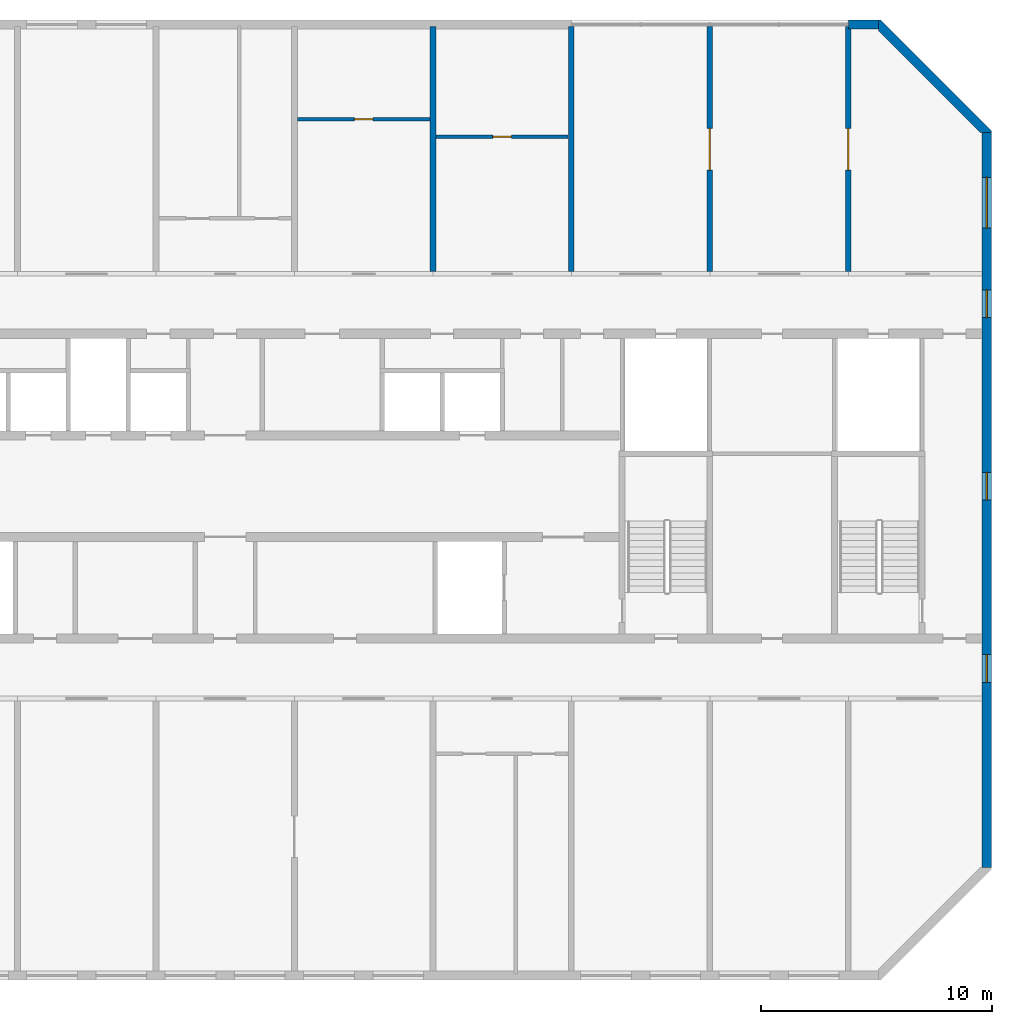
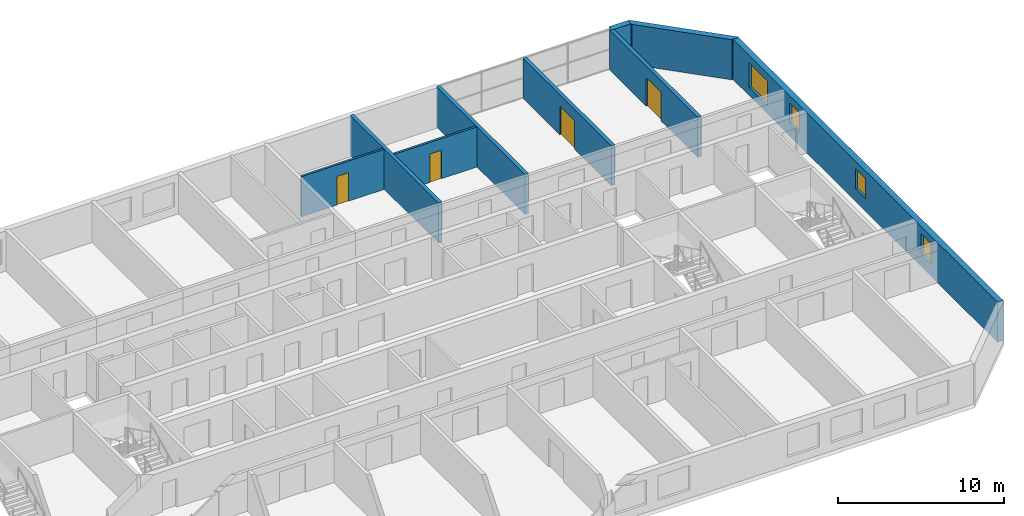
# One storey, part 10 of 13: 9 walls, 4 doors, 4 windows, 8 openings.
"""IFC4 building model written with IfcOpenShell, lengths in metres."""

from ifc_helpers import new_model, si_unit, direction, frame, frame_2d, origin, place, context, subcontext, project, spatial, polyline, rectangle, outline, extrude, material, layer, layer_set, type_object, element, fill, save


model = new_model("IFC4")

# Units and contexts
model_context = context("Model", 3, precision=1e-05, world=origin(), true_north=direction((0.0, 1.0)))
body_context = subcontext(model_context, "Body", "Model", "MODEL_VIEW")
ifc_project = project(units=[si_unit("LENGTHUNIT", "METRE"), si_unit("AREAUNIT", "SQUARE_METRE"), si_unit("VOLUMEUNIT", "CUBIC_METRE"), si_unit("PLANEANGLEUNIT", "RADIAN"), si_unit("MASSUNIT", "GRAM", prefix="KILO")], contexts=[model_context])

# Site, building, storey
site_placement = place(None, origin())
site = spatial("IfcSite", under=ifc_project, at=site_placement, CompositionType="ELEMENT")
building_placement = place(site_placement, origin())
building = spatial("IfcBuilding", under=site, at=building_placement, Name="Poui Terraces", CompositionType="ELEMENT")
storey_placement = place(building_placement, frame((0.0, 0.0, 211.5)))
storey = spatial("IfcBuildingStorey", under=building, at=storey_placement, Name="L59", CompositionType="ELEMENT", Elevation=211.5)

# Walls
ifc_material_1 = material(Name="Concrete 50 MPa", Category="concrete")
ifc_layer_1 = layer(ifc_material_1, 0.25)
ifc_layer_set_1 = layer_set([ifc_layer_1], Name="Concrete 50 MPa")
wall_type_1 = type_object("IfcWallType", Name="CROSS WALL 250 50MPa", PredefinedType="SHEAR", material=ifc_layer_set_1)
for number, where, z_axis, x_axis, name in (
    (1, (60.0, 30.5, 0.0), (0.0, 0.0, 1.0), (0.0, 1.0, 0.0), "CROSS WALL LINE 11 NORTH"),
    (2, (66.0, 30.5, 0.0), (0.0, 0.0, 1.0), (0.0, 1.0, 0.0), "CROSS WALL LINE 12 NORTH"),
):
    element("IfcWall", number, at=place(storey_placement, frame(where, z_axis=z_axis, x_axis=x_axis)), inside=storey, type_object=wall_type_1, Name=name, PredefinedType="SHEAR", context=body_context, shape_type="SweptSolid", body=[
        extrude(rectangle(XDim=10.625, YDim=0.25, at=frame_2d((5.3125, 0.0))), origin(), (0.0, 0.0, 1.0), 2.949951171875),
    ])

# Wall, opening, door
wall_1_placement = place(storey_placement, frame((72.0, 30.5, 0.0), z_axis=(0.0, 0.0, 1.0), x_axis=(0.0, 1.0, 0.0)))
wall_1 = element("IfcWall", 3, at=wall_1_placement, inside=storey, type_object=wall_type_1, Name="CROSS WALL LINE 13 NORTH", PredefinedType="SHEAR", context=body_context, shape_type="SweptSolid", body=[
    extrude(rectangle(XDim=10.625, YDim=0.25, at=frame_2d((5.3125, 0.0))), origin(), (0.0, 0.0, 1.0), 2.949951171875),
])
opening_1_placement = place(wall_1_placement, frame((4.39990234375, 0.0, 0.0)))
opening_1 = element("IfcOpeningElement", 4, at=opening_1_placement, cuts=wall_1, Name="Opening DD180", PredefinedType="OPENING", context=body_context, shape_type="SweptSolid", body=[
    extrude(rectangle(XDim=1.800048828125, YDim=2.10009765625, at=frame_2d((0.89990234375, 1.050048828125))), frame((0.0, 0.135009765625, 0.0), z_axis=(0.0, -1.0, 0.0), x_axis=(1.0, 0.0, 0.0)), (0.0, 0.0, 1.0), 0.27001953125),
])
ifc_material_2 = material(Name="Steel fire door", Category="steel")
door_type_1 = type_object("IfcDoorType", Name="DOUBLE INTERNAL DOOR 1800 X 2100", OperationType="DOUBLE_DOOR_SINGLE_SWING", PredefinedType="DOOR", material=ifc_material_2)
door_1_placement = place(opening_1_placement, origin())
door_1 = element("IfcDoor", 5, at=door_1_placement, inside=storey, type_object=door_type_1, Name="DOUBLE INTERNAL DOOR 054", OperationType="DOUBLE_DOOR_SINGLE_SWING", OverallHeight=2.10009765625, OverallWidth=1.800048828125, PredefinedType="DOOR", context=body_context, shape_type="SweptSolid", body=[
    extrude(rectangle(XDim=1.800048828125, YDim=2.10009765625, at=frame_2d((0.89990234375, 1.050048828125))), frame((0.0, 0.02490234375, 0.0), z_axis=(0.0, -1.0, 0.0), x_axis=(1.0, 0.0, 0.0)), (0.0, 0.0, 1.0), 0.050048828125),
])
fill(opening_1, door_1)

wall_2_placement = place(storey_placement, frame((78.0, 30.5, 0.0), z_axis=(0.0, 0.0, 1.0), x_axis=(0.0, 1.0, 0.0)))
wall_2 = element("IfcWall", 6, at=wall_2_placement, inside=storey, type_object=wall_type_1, Name="CROSS WALL LINE 14 NORTH", PredefinedType="SHEAR", context=body_context, shape_type="SweptSolid", body=[
    extrude(rectangle(XDim=10.625, YDim=0.25, at=frame_2d((5.3125, 0.0))), origin(), (0.0, 0.0, 1.0), 2.949951171875),
])
opening_2_placement = place(wall_2_placement, frame((4.39990234375, 0.0, 0.0)))
opening_2 = element("IfcOpeningElement", 7, at=opening_2_placement, cuts=wall_2, Name="Opening DD180", PredefinedType="OPENING", context=body_context, shape_type="SweptSolid", body=[
    extrude(rectangle(XDim=1.800048828125, YDim=2.10009765625, at=frame_2d((0.89990234375, 1.050048828125))), frame((0.0, 0.135009765625, 0.0), z_axis=(0.0, -1.0, 0.0), x_axis=(1.0, 0.0, 0.0)), (0.0, 0.0, 1.0), 0.27001953125),
])
door_2_placement = place(opening_2_placement, origin())
door_2 = element("IfcDoor", 8, at=door_2_placement, inside=storey, type_object=door_type_1, Name="DOUBLE INTERNAL DOOR 055", OperationType="DOUBLE_DOOR_SINGLE_SWING", OverallHeight=2.10009765625, OverallWidth=1.800048828125, PredefinedType="DOOR", context=body_context, shape_type="SweptSolid", body=[
    extrude(rectangle(XDim=1.800048828125, YDim=2.10009765625, at=frame_2d((0.89990234375, 1.050048828125))), frame((0.0, 0.02490234375, 0.0), z_axis=(0.0, -1.0, 0.0), x_axis=(1.0, 0.0, 0.0)), (0.0, 0.0, 1.0), 0.050048828125),
])
fill(opening_2, door_2)

# Wall, openings, windows
ifc_layer_2 = layer(ifc_material_1, 0.39990234375)
ifc_layer_set_2 = layer_set([ifc_layer_2], Name="Concrete 50 MPa")
wall_type_2 = type_object("IfcWallType", Name="END WALL 400 50MPa", PredefinedType="SHEAR", material=ifc_layer_set_2)
wall_3_placement = place(storey_placement, frame((84.0, 4.682861328125, 0.0), z_axis=(0.0, 0.0, 1.0), x_axis=(0.0, 1.0, 0.0)))
wall_3 = element("IfcWall", 9, at=wall_3_placement, inside=storey, type_object=wall_type_2, Name="END WALL EAST", PredefinedType="SHEAR", context=body_context, shape_type="SweptSolid", body=[
    extrude(rectangle(XDim=31.834228515625, YDim=0.39990234375, at=frame_2d((15.9169921875, 0.0))), origin(), (0.0, 0.0, 1.0), 2.949951171875),
])
opening_3_placement = place(wall_3_placement, frame((23.817138671875, 0.0, 0.89990234375)))
opening_3 = element("IfcOpeningElement", 10, at=opening_3_placement, cuts=wall_3, Name="Opening W2", PredefinedType="OPENING", context=body_context, shape_type="SweptSolid", body=[
    extrude(rectangle(XDim=1.199951171875, YDim=1.5, at=frame_2d((0.60009765625, 0.75))), frame((0.0, 0.2099609375, 0.0), z_axis=(0.0, -1.0, 0.0), x_axis=(1.0, 0.0, 0.0)), (0.0, 0.0, 1.0), 0.419921875),
])
opening_4_placement = place(wall_3_placement, frame((8.01708984375, 0.0, 0.89990234375)))
opening_4 = element("IfcOpeningElement", 11, at=opening_4_placement, cuts=wall_3, Name="Opening W2", PredefinedType="OPENING", context=body_context, shape_type="SweptSolid", body=[
    extrude(rectangle(XDim=1.199951171875, YDim=1.5, at=frame_2d((0.60009765625, 0.75))), frame((0.0, 0.2099609375, 0.0), z_axis=(0.0, -1.0, 0.0), x_axis=(1.0, 0.0, 0.0)), (0.0, 0.0, 1.0), 0.419921875),
])
opening_5_placement = place(wall_3_placement, frame((27.693603515625, 0.0, 0.60009765625)))
opening_5 = element("IfcOpeningElement", 12, at=opening_5_placement, cuts=wall_3, Name="Opening W3", PredefinedType="OPENING", context=body_context, shape_type="SweptSolid", body=[
    extrude(rectangle(XDim=2.199951171875, YDim=1.800048828125, at=frame_2d((1.10009765625, 0.89990234375))), frame((0.0, 0.2099609375, 0.0), z_axis=(0.0, -1.0, 0.0), x_axis=(1.0, 0.0, 0.0)), (0.0, 0.0, 1.0), 0.419921875),
])
opening_6_placement = place(wall_3_placement, frame((15.917236328125, 0.0, 0.89990234375)))
opening_6 = element("IfcOpeningElement", 13, at=opening_6_placement, cuts=wall_3, Name="Opening W2", PredefinedType="OPENING", context=body_context, shape_type="SweptSolid", body=[
    extrude(rectangle(XDim=1.199951171875, YDim=1.5, at=frame_2d((0.60009765625, 0.75))), frame((0.0, 0.2099609375, 0.0), z_axis=(0.0, -1.0, 0.0), x_axis=(1.0, 0.0, 0.0)), (0.0, 0.0, 1.0), 0.419921875),
])
ifc_material_3 = material(Name="Clear glass in aluminium frame", Category="aluminium")
window_type_1 = type_object("IfcWindowType", Name="WINDOW 1200X1500", PartitioningType="SINGLE_PANEL", PredefinedType="WINDOW", material=ifc_material_3)
window_1_placement = place(opening_3_placement, origin())
window_1 = element("IfcWindow", 14, at=window_1_placement, inside=storey, type_object=window_type_1, Name="W2 WINDOW", OverallHeight=1.5, OverallWidth=1.199951171875, PartitioningType="SINGLE_PANEL", PredefinedType="WINDOW", context=body_context, shape_type="SweptSolid", body=[
    extrude(rectangle(XDim=1.199951171875, YDim=1.5, at=frame_2d((0.60009765625, 0.75))), frame((0.0, 0.030029296875, 0.0), z_axis=(0.0, -1.0, 0.0), x_axis=(1.0, 0.0, 0.0)), (0.0, 0.0, 1.0), 0.06005859375),
])
fill(opening_3, window_1)
window_2_placement = place(opening_4_placement, origin())
window_2 = element("IfcWindow", 15, at=window_2_placement, inside=storey, type_object=window_type_1, Name="W2 WINDOW", OverallHeight=1.5, OverallWidth=1.199951171875, PartitioningType="SINGLE_PANEL", PredefinedType="WINDOW", context=body_context, shape_type="SweptSolid", body=[
    extrude(rectangle(XDim=1.199951171875, YDim=1.5, at=frame_2d((0.60009765625, 0.75))), frame((0.0, 0.030029296875, 0.0), z_axis=(0.0, -1.0, 0.0), x_axis=(1.0, 0.0, 0.0)), (0.0, 0.0, 1.0), 0.06005859375),
])
fill(opening_4, window_2)
window_3_placement = place(opening_6_placement, origin())
window_3 = element("IfcWindow", 16, at=window_3_placement, inside=storey, type_object=window_type_1, Name="W2 WINDOW", OverallHeight=1.5, OverallWidth=1.199951171875, PartitioningType="SINGLE_PANEL", PredefinedType="WINDOW", context=body_context, shape_type="SweptSolid", body=[
    extrude(rectangle(XDim=1.199951171875, YDim=1.5, at=frame_2d((0.60009765625, 0.75))), frame((0.0, 0.030029296875, 0.0), z_axis=(0.0, -1.0, 0.0), x_axis=(1.0, 0.0, 0.0)), (0.0, 0.0, 1.0), 0.06005859375),
])
fill(opening_6, window_3)
window_type_2 = type_object("IfcWindowType", Name="WINDOW 2200X1800", PartitioningType="DOUBLE_PANEL_HORIZONTAL", PredefinedType="WINDOW", material=ifc_material_3)
window_4_placement = place(opening_5_placement, origin())
window_4 = element("IfcWindow", 17, at=window_4_placement, inside=storey, type_object=window_type_2, Name="W3 WINDOW", OverallHeight=1.800048828125, OverallWidth=2.199951171875, PartitioningType="DOUBLE_PANEL_HORIZONTAL", PredefinedType="WINDOW", context=body_context, shape_type="SweptSolid", body=[
    extrude(rectangle(XDim=2.199951171875, YDim=1.800048828125, at=frame_2d((1.10009765625, 0.89990234375))), frame((0.0, 0.030029296875, 0.0), z_axis=(0.0, -1.0, 0.0), x_axis=(1.0, 0.0, 0.0)), (0.0, 0.0, 1.0), 0.06005859375),
])
fill(opening_5, window_4)

# Wall
ifc_material_4 = material(Name="Precast concrete 40 MPa", Category="concrete")
ifc_layer_3 = layer(ifc_material_4, 0.39990234375)
ifc_layer_set_3 = layer_set([ifc_layer_3], Name="Precast concrete 40 MPa")
wall_type_3 = type_object("IfcWallType", Name="EXTERNAL WALL 400", PredefinedType="STANDARD", material=ifc_layer_set_3)
wall_4_placement = place(storey_placement, frame((79.317138671875, 41.199951171875, 0.0), z_axis=(0.0, 0.0, 1.0), x_axis=(-1.0, 0.0, 0.0)))
element("IfcWall", 18, at=wall_4_placement, inside=storey, type_object=wall_type_3, Name="EXTERNAL WALL N", PredefinedType="STANDARD", context=body_context, shape_type="SweptSolid", body=[
    extrude(rectangle(XDim=1.317138671875, YDim=0.39990234375, at=frame_2d((0.65869140625, 0.0))), origin(), (0.0, 0.0, 1.0), 2.949951171875),
])

# Wall, opening, door
ifc_material_5 = material(Name="Plasterboard partition")
ifc_layer_4 = layer(ifc_material_5, 0.14990234375)
ifc_layer_set_4 = layer_set([ifc_layer_4], Name="Plasterboard partition")
wall_type_4 = type_object("IfcWallType", Name="PARTITION WALL 150", PredefinedType="PARTITIONING", material=ifc_layer_set_4)
wall_5_placement = place(storey_placement, frame((60.135009765625, 36.340087890625, 0.0), z_axis=(0.0, 0.0, 1.0), x_axis=(1.0, 0.0, 0.0)))
wall_5 = element("IfcWall", 19, at=wall_5_placement, inside=storey, type_object=wall_type_4, Name="PARTITION WALL 150", PredefinedType="PARTITIONING", context=body_context, shape_type="SweptSolid", body=[
    extrude(rectangle(XDim=5.72998046875, YDim=0.14990234375, at=frame_2d((2.864990234375, 0.0))), origin(), (0.0, 0.0, 1.0), 2.949951171875),
])
opening_7_placement = place(wall_5_placement, frame((2.465087890625, 0.0, 0.0)))
opening_7 = element("IfcOpeningElement", 20, at=opening_7_placement, cuts=wall_5, Name="Opening D80", PredefinedType="OPENING", context=body_context, shape_type="SweptSolid", body=[
    extrude(rectangle(XDim=0.800048828125, YDim=2.10009765625, at=frame_2d((0.39990234375, 1.050048828125))), frame((0.0, 0.0849609375, 0.0), z_axis=(0.0, -1.0, 0.0), x_axis=(1.0, 0.0, 0.0)), (0.0, 0.0, 1.0), 0.169921875),
])
ifc_material_6 = material(Name="Solid core timber door", Category="wood")
door_type_2 = type_object("IfcDoorType", Name="BATHROOM, LAUNDRY AND STORE DOOR 800 X 2100", OperationType="NOTDEFINED", PredefinedType="DOOR", material=ifc_material_6)
door_3_placement = place(opening_7_placement, frame((0.800048828125, 0.0, 0.0), z_axis=(0.0, 0.0, 1.0), x_axis=(-1.0, 0.0, 0.0)))
door_3 = element("IfcDoor", 21, at=door_3_placement, inside=storey, type_object=door_type_2, Name="BATHROOM, LAUNDRY AND STORE DOOR 053", OperationType="SINGLE_SWING_RIGHT", OverallHeight=2.10009765625, OverallWidth=0.800048828125, PredefinedType="DOOR", context=body_context, shape_type="SweptSolid", body=[
    extrude(rectangle(XDim=0.800048828125, YDim=2.10009765625, at=frame_2d((0.39990234375, 1.050048828125))), frame((0.0, 0.02490234375, 0.0), z_axis=(0.0, -1.0, 0.0), x_axis=(1.0, 0.0, 0.0)), (0.0, 0.0, 1.0), 0.050048828125),
])
fill(opening_7, door_3)

wall_6_placement = place(storey_placement, frame((54.135009765625, 37.095947265625, 0.0), z_axis=(0.0, 0.0, 1.0), x_axis=(1.0, 0.0, 0.0)))
wall_6 = element("IfcWall", 22, at=wall_6_placement, inside=storey, type_object=wall_type_4, Name="PARTITION WALL 150", PredefinedType="PARTITIONING", context=body_context, shape_type="SweptSolid", body=[
    extrude(rectangle(XDim=5.72998046875, YDim=0.14990234375, at=frame_2d((2.864990234375, 0.0))), origin(), (0.0, 0.0, 1.0), 2.949951171875),
])
opening_8_placement = place(wall_6_placement, frame((2.465087890625, 0.0, 0.0)))
opening_8 = element("IfcOpeningElement", 23, at=opening_8_placement, cuts=wall_6, Name="Opening D80", PredefinedType="OPENING", context=body_context, shape_type="SweptSolid", body=[
    extrude(rectangle(XDim=0.800048828125, YDim=2.10009765625, at=frame_2d((0.39990234375, 1.050048828125))), frame((0.0, 0.0849609375, 0.0), z_axis=(0.0, -1.0, 0.0), x_axis=(1.0, 0.0, 0.0)), (0.0, 0.0, 1.0), 0.169921875),
])
door_4_placement = place(opening_8_placement, frame((0.800048828125, 0.0, 0.0), z_axis=(0.0, 0.0, 1.0), x_axis=(-1.0, 0.0, 0.0)))
door_4 = element("IfcDoor", 24, at=door_4_placement, inside=storey, type_object=door_type_2, Name="BATHROOM, LAUNDRY AND STORE DOOR 052", OperationType="SINGLE_SWING_LEFT", OverallHeight=2.10009765625, OverallWidth=0.800048828125, PredefinedType="DOOR", context=body_context, shape_type="SweptSolid", body=[
    extrude(rectangle(XDim=0.800048828125, YDim=2.10009765625, at=frame_2d((0.39990234375, 1.050048828125))), frame((0.0, 0.02490234375, 0.0), z_axis=(0.0, -1.0, 0.0), x_axis=(1.0, 0.0, 0.0)), (0.0, 0.0, 1.0), 0.050048828125),
])
fill(opening_8, door_4)

# Wall
ifc_layer_5 = layer(ifc_material_4, 0.39990234375)
ifc_layer_set_5 = layer_set([ifc_layer_5], Name="Precast concrete 40 MPa")
wall_type_5 = type_object("IfcWallType", Name="TERRACOTTA CLAD CHAMFER WALL 400", PredefinedType="STANDARD", material=ifc_layer_set_5)
wall_7_placement = place(storey_placement, origin())
element("IfcWall", 25, at=wall_7_placement, inside=storey, type_object=wall_type_5, Name="CHAMFER WALL CH03", PredefinedType="STANDARD", context=body_context, shape_type="SweptSolid", body=[
    extrude(outline(polyline([(84.199951171875, 36.51708984375), (84.199951171875, 36.60009765625), (79.39990234375, 41.39990234375), (79.317138671875, 41.39990234375), (79.317138671875, 40.917236328125), (83.71728515625, 36.51708984375), (84.199951171875, 36.51708984375)])), origin(), (0.0, 0.0, 1.0), 2.949951171875),
])

save(model, "model.ifc")
